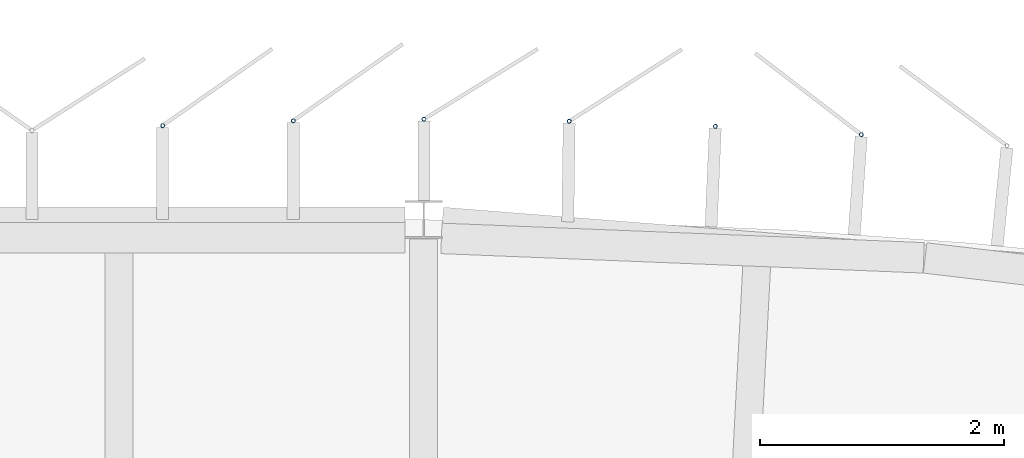
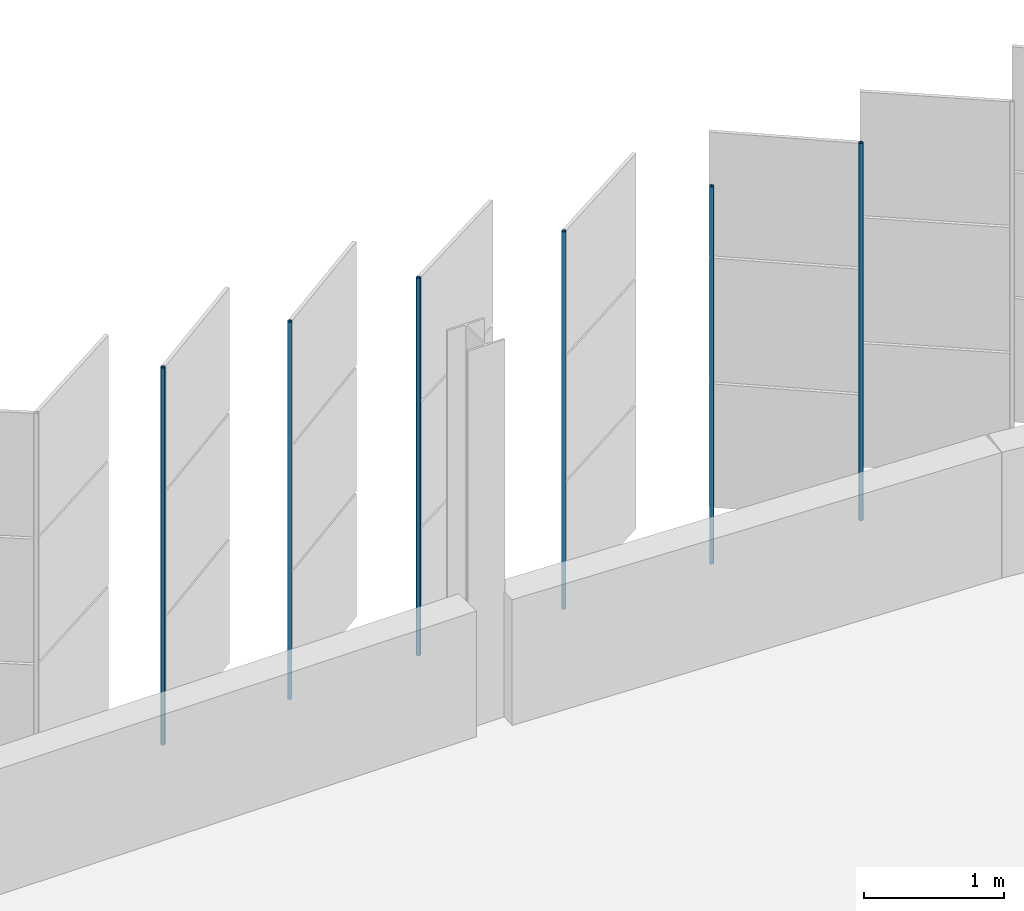
# One storey, part 169 of 214: 6 discrete accessories.
"""IFC4 building model written with IfcOpenShell, lengths in metres."""

from ifc_helpers import new_model, si_unit, direction, frame, origin, origin_2d, place, context, subcontext, project, spatial, hollow_circle, extrude, material, material_profile, profile_set, type_object, element, save


model = new_model("IFC4")

# Units and contexts
model_context = context("Model", 3, precision=1e-05, world=origin(), true_north=direction((0.0, 1.0)))
body_context = subcontext(model_context, "Body", "Model", "MODEL_VIEW")
ifc_project = project(units=[si_unit("LENGTHUNIT", "METRE"), si_unit("AREAUNIT", "SQUARE_METRE"), si_unit("VOLUMEUNIT", "CUBIC_METRE"), si_unit("PLANEANGLEUNIT", "RADIAN"), si_unit("MASSUNIT", "GRAM", prefix="KILO")], contexts=[model_context])

# Site, building, storey
site_placement = place(None, origin())
site = spatial("IfcSite", under=ifc_project, at=site_placement, CompositionType="ELEMENT")
building_placement = place(site_placement, origin())
building = spatial("IfcBuilding", under=site, at=building_placement, Name="Parallax Yard Mobility Hub", CompositionType="ELEMENT")
storey_placement = place(building_placement, frame((0.0, 0.0, 3.300048828125)))
storey = spatial("IfcBuildingStorey", under=building, at=storey_placement, Name="L01", CompositionType="ELEMENT", Elevation=3.300048828125)

# Discrete accessories
ifc_material = material(Name="Steel ASTM A500 Gr C, hot-dip galvanised", Category="steel")
ifc_material_profile = material_profile(ifc_material, hollow_circle(Radius=0.016845703125, WallThickness=0.003173828125, at=origin_2d()), Name="CHS 33.7x3.2")
ifc_profile_set = profile_set([ifc_material_profile], Name="Steel ASTM A500 Gr C, hot-dip galvanised")
discrete_accessory_type = type_object("IfcDiscreteAccessoryType", Name="Hinge post CHS 33.7x3.2", PredefinedType="BRACKET", material=ifc_profile_set)
for number, where, z_axis, x_axis, name in (
    (1, (176.090087890625, 143.197998046875, 0.0), (0.0, 0.0, 1.0), (1.0, 0.0, 0.0), "Hinge post bay 50.5 level L01"),
    (2, (174.892578125, 143.264892578125, 0.0), (0.0, 0.0, 1.0), (1.0, 0.0, 0.0), "Hinge post bay 50.6 level L01"),
    (3, (173.69384765625, 143.306884765625, 0.0), (0.0, 0.0, 1.0), (1.0, 0.0, 0.0), "Hinge post bay 50.7 level L01"),
    (4, (172.501953125, 143.32373046875, 0.0), (0.0, 0.0, 1.0), (1.0, 0.0, 0.0), "Hinge post bay 51.1 level L01"),
    (5, (171.430419921875, 143.311767578125, 0.0), (0.0, 0.0, 1.0), (1.0, 0.0, 0.0), "Hinge post bay 51.2 level L01"),
    (6, (170.35888671875, 143.271728515625, 0.0), (0.0, 0.0, 1.0), (1.0, 0.0, 0.0), "Hinge post bay 51.3 level L01"),
):
    element("IfcDiscreteAccessory", number, at=place(storey_placement, frame(where, z_axis=z_axis, x_axis=x_axis)), inside=storey, type_object=discrete_accessory_type, Name=name, PredefinedType="BRACKET", context=body_context, shape_type="SweptSolid", body=[
        extrude(hollow_circle(Radius=0.016845703125, WallThickness=0.003173828125, at=origin_2d()), origin(), (0.0, 0.0, 1.0), 3.300048828125),
    ])

save(model, "model.ifc")
